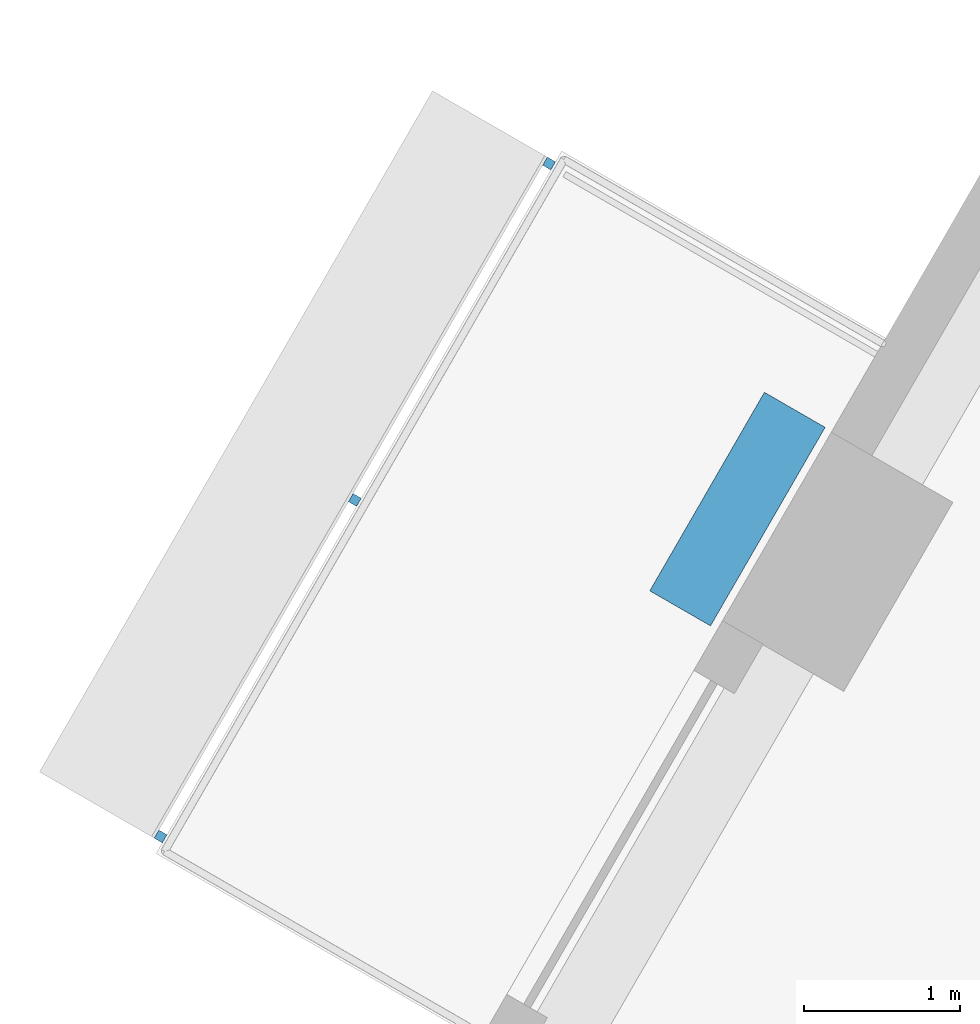
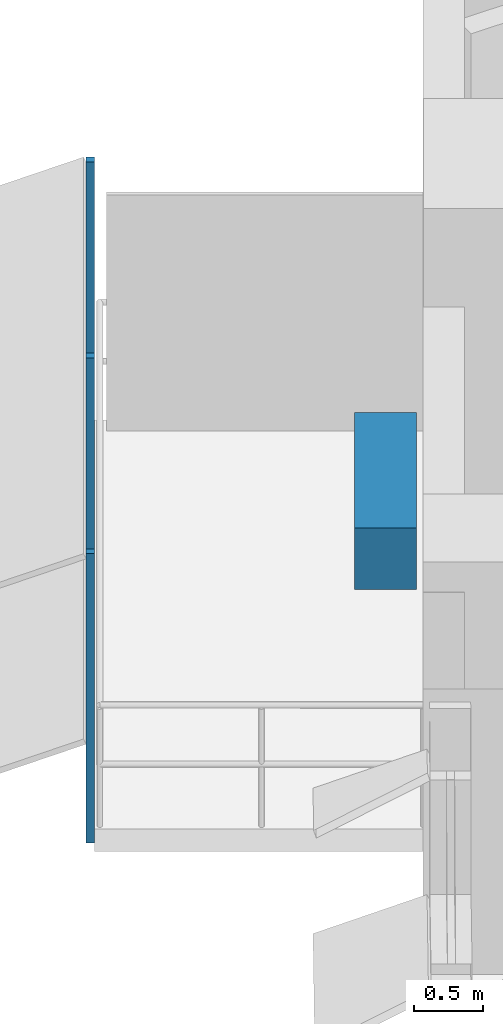
# One storey, part 11 of 14: 4 discrete accessories.
"""IFC4 building model written with IfcOpenShell, lengths in metres."""

from ifc_helpers import new_model, si_unit, direction, frame, origin, origin_2d, place, context, subcontext, project, spatial, rectangle, extrude, material, type_object, element, save


model = new_model("IFC4")

# Units and contexts
model_context = context("Model", 3, precision=1e-05, world=origin(), true_north=direction((0.0, 1.0)))
body_context = subcontext(model_context, "Body", "Model", "MODEL_VIEW")
ifc_project = project(units=[si_unit("LENGTHUNIT", "METRE"), si_unit("AREAUNIT", "SQUARE_METRE"), si_unit("VOLUMEUNIT", "CUBIC_METRE"), si_unit("PLANEANGLEUNIT", "RADIAN"), si_unit("MASSUNIT", "GRAM", prefix="KILO")], contexts=[model_context])

# Site, building, storey
site_placement = place(None, origin())
site = spatial("IfcSite", under=ifc_project, at=site_placement, CompositionType="ELEMENT")
building_placement = place(site_placement, origin())
building = spatial("IfcBuilding", under=site, at=building_placement, Name="Nakaniwa Court", CompositionType="ELEMENT")
storey_placement = place(building_placement, frame((0.0, 0.0, 107.39990234375)))
storey = spatial("IfcBuildingStorey", under=building, at=storey_placement, Name="L28", CompositionType="ELEMENT", Elevation=107.39990234375)

# Discrete accessories
ifc_material_1 = material(Name="Black powder-coated steel bracket S275", Category="steel")
discrete_accessory_type_1 = type_object("IfcDiscreteAccessoryType", Name="Black metal louvre bracket", PredefinedType="BRACKET", material=ifc_material_1)
for number, where, z_axis, x_axis, name in (
    (1, (57.841064453125, 94.479736328125, -0.229736328125), (0.0, 0.0, 1.0), (-0.499974304289, -0.866040238702, 0.0), "L28 louvre bracket 01 1"),
    (2, (56.594970703125, 92.3212890625, -0.229736328125), (0.0, 0.0, 1.0), (-0.499974304289, -0.866040238702, 0.0), "L28 louvre bracket 01 2"),
    (3, (55.348876953125, 90.162841796875, -0.229736328125), (0.0, 0.0, 1.0), (-0.499974304289, -0.866040238702, 0.0), "L28 louvre bracket 01 3"),
):
    element("IfcDiscreteAccessory", number, at=place(storey_placement, frame(where, z_axis=z_axis, x_axis=x_axis)), inside=storey, type_object=discrete_accessory_type_1, Name=name, PredefinedType="BRACKET", context=body_context, shape_type="SweptSolid", body=[
        extrude(rectangle(XDim=0.06005859375, YDim=0.06005859375, at=origin_2d()), origin(), (0.0, 0.0, 1.0), 2.5751953125),
    ])
ifc_material_2 = material(Name="Precast concrete C40/50 planter with planted soil", Category="concrete")
discrete_accessory_type_2 = type_object("IfcDiscreteAccessoryType", Name="Planter box charcoal concrete", PredefinedType="USERDEFINED", material=ifc_material_2)
discrete_accessory_placement = place(storey_placement, frame((59.049560546875, 92.262939453125, -0.0498046875), z_axis=(0.0, 0.0, 1.0), x_axis=(-0.499974304289, -0.866040238702, 0.0)))
element("IfcDiscreteAccessory", 4, at=discrete_accessory_placement, inside=storey, type_object=discrete_accessory_type_2, Name="L28 balcony PLANTER 01", ObjectType="PLANTER", PredefinedType="USERDEFINED", context=body_context, shape_type="SweptSolid", body=[
    extrude(rectangle(XDim=1.470947265625, YDim=0.449951171875, at=origin_2d()), origin(), (0.0, 0.0, 1.0), 0.550048828125),
])

save(model, "model.ifc")
